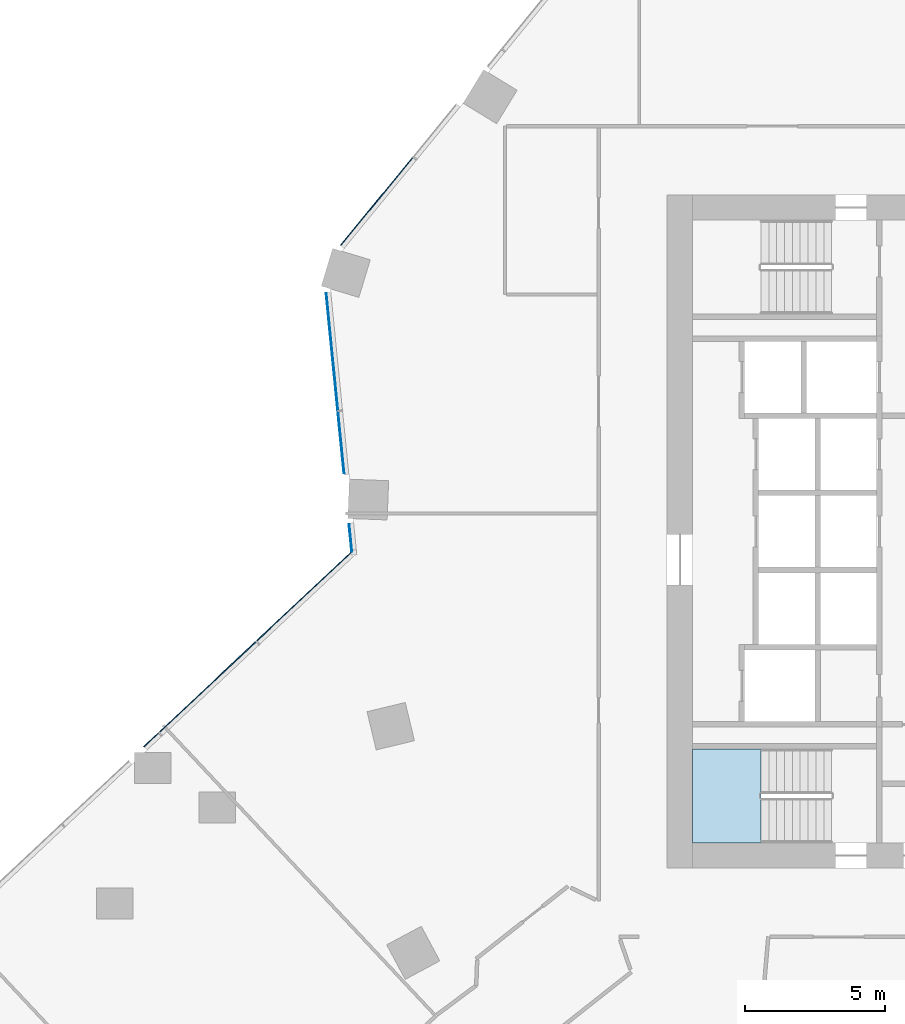
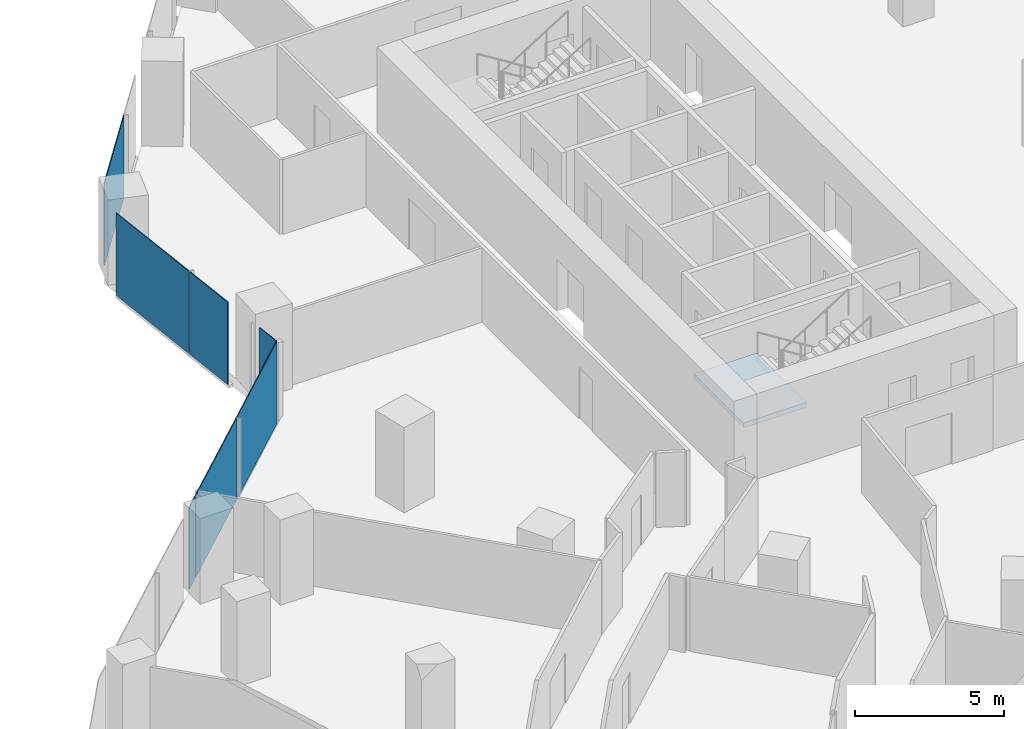
# One storey, part 19 of 34: 7 plates, 1 slab, 4 elements without a shape of their own.
"""IFC4 building model written with IfcOpenShell, lengths in metres."""

from ifc_helpers import new_model, si_unit, direction, frame, origin, origin_2d, place, context, subcontext, project, spatial, polyline, rectangle, outline, extrude, material, layer, layer_set, type_object, element, aggregate, save


model = new_model("IFC4")

# Units and contexts
model_context = context("Model", 3, precision=1e-05, world=origin(), true_north=direction((0.0, 1.0)))
body_context = subcontext(model_context, "Body", "Model", "MODEL_VIEW")
ifc_project = project(units=[si_unit("LENGTHUNIT", "METRE"), si_unit("AREAUNIT", "SQUARE_METRE"), si_unit("VOLUMEUNIT", "CUBIC_METRE"), si_unit("PLANEANGLEUNIT", "RADIAN"), si_unit("MASSUNIT", "GRAM", prefix="KILO")], contexts=[model_context])

# Site, building, storey
site_placement = place(None, origin())
site = spatial("IfcSite", under=ifc_project, at=site_placement, CompositionType="ELEMENT")
building_placement = place(site_placement, origin())
building = spatial("IfcBuilding", under=site, at=building_placement, Name="Orlundy Tower", CompositionType="ELEMENT")
storey_placement = place(building_placement, frame((0.0, 0.0, 44.300048828125)))
storey = spatial("IfcBuildingStorey", under=building, at=storey_placement, Name="L09", CompositionType="ELEMENT", Elevation=44.300048828125)

# Curtain wall, plates
ifc_material_1 = material(Name="Aluminium bronze anodised", Category="aluminium")
curtain_wall_type = type_object("IfcCurtainWallType", Name="CW1 wall", PredefinedType="NOTDEFINED", material=ifc_material_1)
curtain_wall_1_placement = place(storey_placement, origin())
curtain_wall_1 = element("IfcCurtainWall", 1, at=curtain_wall_1_placement, inside=storey, type_object=curtain_wall_type, Name="CW1 run 00", PredefinedType="NOTDEFINED")
ifc_material_2 = material(Name="Tinted glass", Category="glass")
ifc_layer_1 = layer(ifc_material_2, 0.031982421875)
ifc_layer_set_1 = layer_set([ifc_layer_1], Name="CW1 glass panel 32")
plate_type = type_object("IfcPlateType", Name="CW1 glass panel 32", PredefinedType="CURTAIN_PANEL", material=ifc_layer_set_1)
plate_1_placement = place(storey_placement, frame((-37.397705078125, -7.431640625, -0.300048828125), z_axis=(0.0, 0.0, 1.0), x_axis=(0.729351371178, 0.684139296752, 0.0)))
plate_1 = element("IfcPlate", 2, at=plate_1_placement, type_object=plate_type, Name="CW1 panel", PredefinedType="CURTAIN_PANEL", context=body_context, shape_type="SweptSolid", body=[
    extrude(rectangle(XDim=0.714599609375, YDim=0.031982421875, at=origin_2d()), origin(), (0.0, 0.0, 1.0), 3.3798828125),
])
plate_2_placement = place(storey_placement, frame((-35.384765625, -5.54345703125, -0.300048828125), z_axis=(0.0, 0.0, 1.0), x_axis=(0.729351371178, 0.684139296752, 0.0)))
plate_2 = element("IfcPlate", 3, at=plate_2_placement, type_object=plate_type, Name="CW1 panel", PredefinedType="CURTAIN_PANEL", context=body_context, shape_type="SweptSolid", body=[
    extrude(rectangle(XDim=4.705322265625, YDim=0.031982421875, at=origin_2d()), origin(), (0.0, 0.0, 1.0), 3.3798828125),
])
plate_3_placement = place(storey_placement, frame((-31.936767578125, -2.30908203125, -0.300048828125), z_axis=(0.0, 0.0, 1.0), x_axis=(0.729351371178, 0.684139296752, 0.0)))
plate_3 = element("IfcPlate", 4, at=plate_3_placement, type_object=plate_type, Name="CW1 panel", PredefinedType="CURTAIN_PANEL", context=body_context, shape_type="SweptSolid", body=[
    extrude(rectangle(XDim=4.6494140625, YDim=0.031982421875, at=origin_2d()), origin(), (0.0, 0.0, 1.0), 3.3798828125),
])
aggregate(curtain_wall_1, [plate_1, plate_2, plate_3])

curtain_wall_2_placement = place(storey_placement, origin())
curtain_wall_2 = element("IfcCurtainWall", 5, at=curtain_wall_2_placement, inside=storey, type_object=curtain_wall_type, Name="CW1 run 01", PredefinedType="NOTDEFINED")
plate_4_placement = place(storey_placement, frame((-30.289794921875, -0.228515625, -0.300048828125), z_axis=(0.0, 0.0, 1.0), x_axis=(-0.098671826867, 0.995120028229, 0.0)))
plate_4 = element("IfcPlate", 6, at=plate_4_placement, type_object=plate_type, Name="CW1 panel", PredefinedType="CURTAIN_PANEL", context=body_context, shape_type="SweptSolid", body=[
    extrude(rectangle(XDim=0.98486328125, YDim=0.031982421875, at=origin_2d()), origin(), (0.0, 0.0, 1.0), 3.3798828125),
])
plate_5_placement = place(storey_placement, frame((-30.626708984375, 3.169189453125, -0.300048828125), z_axis=(0.0, 0.0, 1.0), x_axis=(-0.098671826867, 0.995120028229, 0.0)))
plate_5 = element("IfcPlate", 7, at=plate_5_placement, type_object=plate_type, Name="CW1 panel", PredefinedType="CURTAIN_PANEL", context=body_context, shape_type="SweptSolid", body=[
    extrude(rectangle(XDim=2.210205078125, YDim=0.031982421875, at=origin_2d()), origin(), (0.0, 0.0, 1.0), 3.3798828125),
])
plate_6_placement = place(storey_placement, frame((-30.947265625, 6.40185546875, -0.300048828125), z_axis=(0.0, 0.0, 1.0), x_axis=(-0.098671826867, 0.995120028229, 0.0)))
plate_6 = element("IfcPlate", 8, at=plate_6_placement, type_object=plate_type, Name="CW1 panel", PredefinedType="CURTAIN_PANEL", context=body_context, shape_type="SweptSolid", body=[
    extrude(rectangle(XDim=4.186767578125, YDim=0.031982421875, at=origin_2d()), origin(), (0.0, 0.0, 1.0), 3.3798828125),
])
aggregate(curtain_wall_2, [plate_4, plate_5, plate_6])

# Curtain wall, plate
curtain_wall_3_placement = place(storey_placement, origin())
curtain_wall_3 = element("IfcCurtainWall", 9, at=curtain_wall_3_placement, inside=storey, type_object=curtain_wall_type, Name="CW1 run 02", PredefinedType="NOTDEFINED")
plate_7_placement = place(storey_placement, frame((-29.3525390625, 11.77001953125, -0.300048828125), z_axis=(0.0, 0.0, 1.0), x_axis=(0.633818264458, 0.773482002143, 0.0)))
plate_7 = element("IfcPlate", 10, at=plate_7_placement, type_object=plate_type, Name="CW1 panel", PredefinedType="CURTAIN_PANEL", context=body_context, shape_type="SweptSolid", body=[
    extrude(rectangle(XDim=4.039306640625, YDim=0.031982421875, at=origin_2d()), origin(), (0.0, 0.0, 1.0), 3.3798828125),
])
aggregate(curtain_wall_3, [plate_7])

# Stair, slab
ifc_material_3 = material(Name="Concrete C50/60", Category="concrete")
stair_type = type_object("IfcStairType", Name="Exit Stair 20 risers", PredefinedType="HALF_TURN_STAIR", material=ifc_material_3)
stair_placement = place(storey_placement, origin())
stair = element("IfcStair", 11, at=stair_placement, inside=storey, type_object=stair_type, Name="L09 Exit Stair ST-W2", PredefinedType="HALF_TURN_STAIR")
ifc_material_4 = material(Name="Concrete C50/60", Category="concrete")
ifc_layer_2 = layer(ifc_material_4, 0.199951171875)
ifc_layer_set_2 = layer_set([ifc_layer_2], Name="Exit Stair Landing")
slab_type = type_object("IfcSlabType", Name="Exit Stair Landing", PredefinedType="LANDING", material=ifc_layer_set_2)
slab_placement = place(storey_placement, frame((0.0, 0.0, 1.550048828125)))
slab = element("IfcSlab", 12, at=slab_placement, type_object=slab_type, Name="ST-W2 landing 1", PredefinedType="LANDING", context=body_context, shape_type="SweptSolid", body=[
    extrude(outline(polyline([(-15.659912109375, -7.75), (-18.10009765625, -7.75), (-18.10009765625, -11.10009765625), (-15.659912109375, -11.10009765625), (-15.659912109375, -7.75)])), origin(), (0.0, 0.0, 1.0), 0.199951171875),
])
aggregate(stair, [slab])

save(model, "model.ifc")
